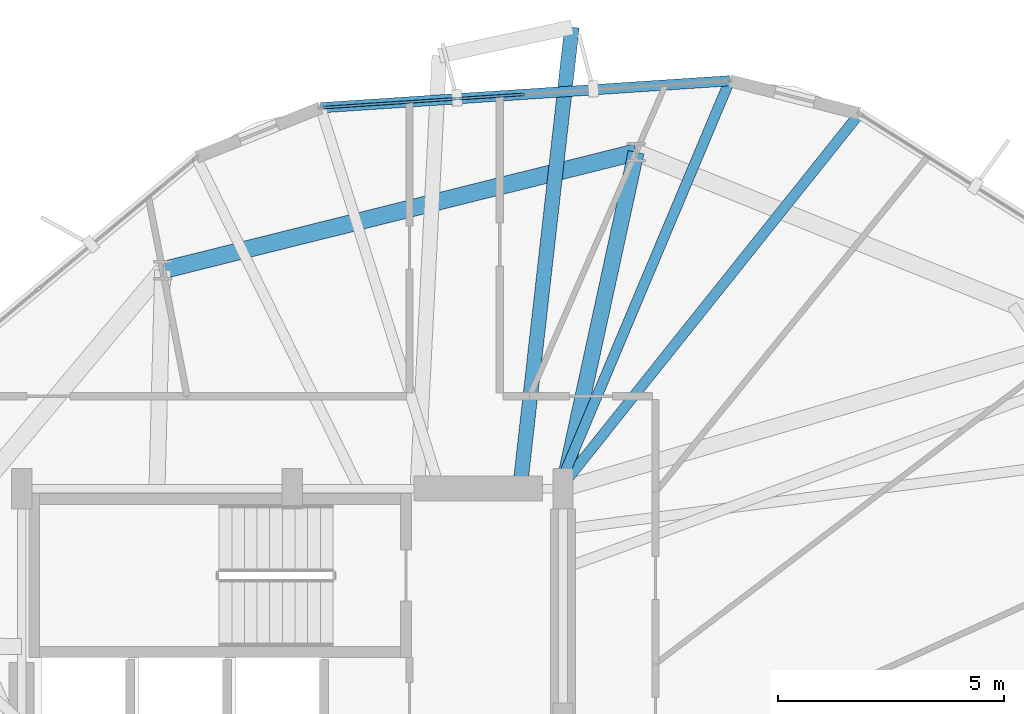
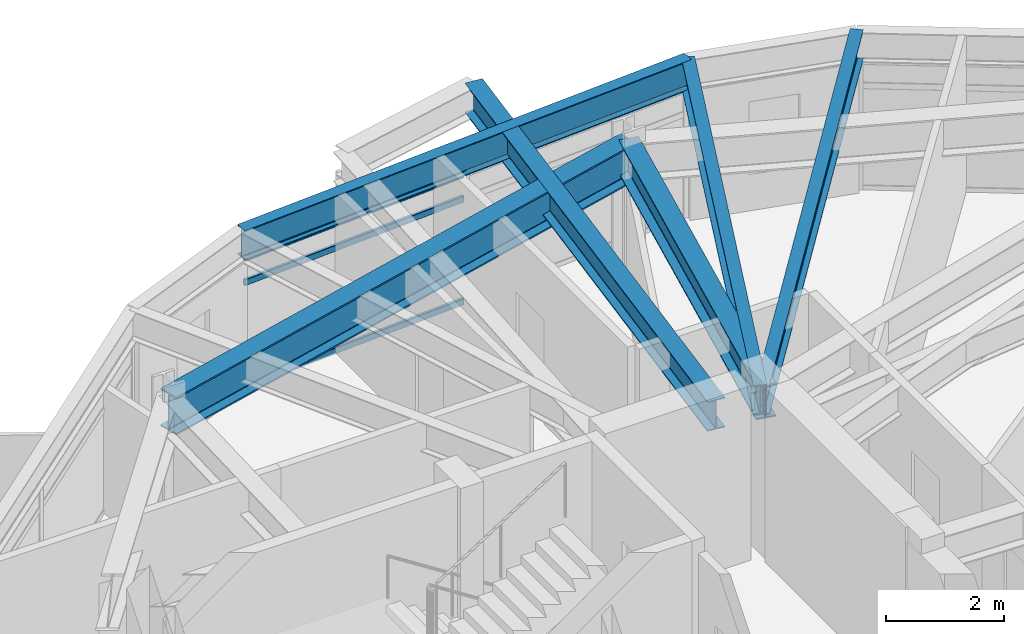
# One storey, part 13 of 24: 6 beams, 3 members, 1 element without a shape of its own.
"""IFC4 building model written with IfcOpenShell, lengths in metres."""

from ifc_helpers import new_model, si_unit, direction, frame, origin, origin_2d, place, context, subcontext, project, spatial, hollow_rectangle, i_section, extrude, material, layer, layer_set, material_profile, profile_set, type_object, element, aggregate, save


model = new_model("IFC4")

# Units and contexts
model_context = context("Model", 3, precision=1e-05, world=origin(), true_north=direction((0.0, 1.0)))
body_context = subcontext(model_context, "Body", "Model", "MODEL_VIEW")
ifc_project = project(units=[si_unit("LENGTHUNIT", "METRE"), si_unit("AREAUNIT", "SQUARE_METRE"), si_unit("VOLUMEUNIT", "CUBIC_METRE"), si_unit("PLANEANGLEUNIT", "RADIAN"), si_unit("MASSUNIT", "GRAM", prefix="KILO")], contexts=[model_context])

# Site, building, storey
site_placement = place(None, origin())
site = spatial("IfcSite", under=ifc_project, at=site_placement, CompositionType="ELEMENT")
building_placement = place(site_placement, origin())
building = spatial("IfcBuilding", under=site, at=building_placement, Name="Soratama Intermodal Tower", CompositionType="ELEMENT")
storey_placement = place(building_placement, frame((0.0, 0.0, 178.60009765625)))
storey = spatial("IfcBuildingStorey", under=building, at=storey_placement, Name="L44", CompositionType="ELEMENT", Elevation=178.60009765625)

# Beams
ifc_material_1 = material(Name="Structural steel ASTM A992 Grade 50", Category="steel")
ifc_material_profile_1 = material_profile(ifc_material_1, i_section(OverallWidth=0.324951171875, OverallDepth=0.615966796875, WebThickness=0.013916015625, FlangeThickness=0.021484375, FilletRadius=0.013916015625, at=origin_2d()), Name="W24X117")
ifc_profile_set_1 = profile_set([ifc_material_profile_1], Name="Structural steel ASTM A992 Grade 50")
beam_type_1 = type_object("IfcBeamType", Name="BM-CANT-W24X117", PredefinedType="BEAM", material=ifc_profile_set_1)
beam_1_placement = place(storey_placement, frame((43.64990234375, 35.0400390625, 2.991943359375), z_axis=(0.111970514242, 0.99371152954, 0.0), x_axis=(-0.99371152954, 0.111970514242, 0.0)))
element("IfcBeam", 1, at=beam_1_placement, inside=storey, type_object=beam_type_1, Name="BM-L44-CANT-2-1", PredefinedType="BEAM", context=body_context, shape_type="SweptSolid", body=[
    extrude(i_section(OverallWidth=0.324951171875, OverallDepth=0.615966796875, WebThickness=0.013916015625, FlangeThickness=0.021484375, FilletRadius=0.013916015625, at=origin_2d()), origin(), (0.0, 0.0, 1.0), 10.25439453125),
])
ifc_material_2 = material(Name="Structural steel ASTM A992 Grade 50", Category="steel")
ifc_material_profile_2 = material_profile(ifc_material_2, i_section(OverallWidth=0.35498046875, OverallDepth=0.695068359375, WebThickness=0.015380859375, FlangeThickness=0.02490234375, FilletRadius=0.01611328125, at=origin_2d()), Name="W27X146")
ifc_profile_set_2 = profile_set([ifc_material_profile_2], Name="Structural steel ASTM A992 Grade 50")
beam_type_2 = type_object("IfcBeamType", Name="BM-RING-W27X146", PredefinedType="BEAM", material=ifc_profile_set_2)
beam_2_placement = place(storey_placement, frame((44.60009765625, 35.0, 2.952392578125), z_axis=(0.212399095304, 0.977183004515, 0.0), x_axis=(-0.977183004515, 0.212399095304, 0.0)))
element("IfcBeam", 2, at=beam_2_placement, inside=storey, type_object=beam_type_2, Name="BM-L44-RAD-03", PredefinedType="BEAM", context=body_context, shape_type="SweptSolid", body=[
    extrude(i_section(OverallWidth=0.35498046875, OverallDepth=0.695068359375, WebThickness=0.015380859375, FlangeThickness=0.02490234375, FilletRadius=0.01611328125, at=origin_2d()), origin(), (0.0, 0.0, 1.0), 7.631103515625),
])
ifc_material_3 = material(Name="Structural steel ASTM A992 Grade 50", Category="steel")
ifc_material_profile_3 = material_profile(ifc_material_3, i_section(OverallWidth=0.382080078125, OverallDepth=0.779052734375, WebThickness=0.01806640625, FlangeThickness=0.030029296875, FilletRadius=0.01806640625, at=origin_2d()), Name="W30X191")
ifc_profile_set_3 = profile_set([ifc_material_profile_3], Name="Structural steel ASTM A992 Grade 50")
beam_type_3 = type_object("IfcBeamType", Name="BM-RING-W30X191", PredefinedType="BEAM", material=ifc_profile_set_3)
beam_3_placement = place(storey_placement, frame((46.220947265625, 42.45703125, 2.910400390625), z_axis=(-0.970310893227, -0.241861056155, 0.0), x_axis=(0.241861056155, -0.970310893227, 0.0)))
element("IfcBeam", 3, at=beam_3_placement, inside=storey, type_object=beam_type_3, Name="BM-L44-RING-03", PredefinedType="BEAM", context=body_context, shape_type="SweptSolid", body=[
    extrude(i_section(OverallWidth=0.382080078125, OverallDepth=0.779052734375, WebThickness=0.01806640625, FlangeThickness=0.030029296875, FilletRadius=0.01806640625, at=origin_2d()), origin(), (0.0, 0.0, 1.0), 10.81591796875),
])
ifc_material_4 = material(Name="Structural steel ASTM A992 Grade 50", Category="steel")
ifc_material_profile_4 = material_profile(ifc_material_4, i_section(OverallWidth=0.22900390625, OverallDepth=0.612060546875, WebThickness=0.011962890625, FlangeThickness=0.01953125, FilletRadius=0.012939453125, at=origin_2d()), Name="W24X84")
ifc_profile_set_4 = profile_set([ifc_material_profile_4], Name="Structural steel ASTM A992 Grade 50")
beam_type_4 = type_object("IfcBeamType", Name="BM-SPN-W24X84", PredefinedType="SPANDREL", material=ifc_profile_set_4)
beam_4_placement = place(storey_placement, frame((48.294921875, 44.0419921875, 2.993896484375), z_axis=(-0.997825747995, -0.065907333724, 0.0), x_axis=(0.065907333724, -0.997825747995, 0.0)))
element("IfcBeam", 4, at=beam_4_placement, inside=storey, type_object=beam_type_4, Name="BS-L44-F02", PredefinedType="SPANDREL", context=body_context, shape_type="SweptSolid", body=[
    extrude(i_section(OverallWidth=0.22900390625, OverallDepth=0.612060546875, WebThickness=0.011962890625, FlangeThickness=0.01953125, FilletRadius=0.012939453125, at=origin_2d()), origin(), (0.0, 0.0, 1.0), 9.086669921875),
])
ifc_material_5 = material(Name="Structural steel ASTM A992 Grade 50", Category="steel")
ifc_material_profile_5 = material_profile(ifc_material_5, i_section(OverallWidth=0.22900390625, OverallDepth=0.612060546875, WebThickness=0.011962890625, FlangeThickness=0.01953125, FilletRadius=0.012939453125, at=origin_2d()), Name="W24X84")
ifc_profile_set_5 = profile_set([ifc_material_profile_5], Name="Structural steel ASTM A992 Grade 50")
beam_type_5 = type_object("IfcBeamType", Name="BM-TIE-W24X84", PredefinedType="BEAM", material=ifc_profile_set_5)
beam_5_placement = place(storey_placement, frame((44.553955078125, 35.031005859375, 2.993896484375), z_axis=(0.624197797476, 0.78126634999, 0.0), x_axis=(-0.78126634999, 0.624197797476, 0.0)))
element("IfcBeam", 5, at=beam_5_placement, inside=storey, type_object=beam_type_5, Name="BM-L44-TIE1-01", PredefinedType="BEAM", context=body_context, shape_type="SweptSolid", body=[
    extrude(i_section(OverallWidth=0.22900390625, OverallDepth=0.612060546875, WebThickness=0.011962890625, FlangeThickness=0.01953125, FilletRadius=0.012939453125, at=origin_2d()), origin(), (0.0, 0.0, 1.0), 10.600830078125),
])
beam_6_placement = place(storey_placement, frame((44.507080078125, 35.037109375, 2.993896484375), z_axis=(0.387736326546, 0.921770329896, 0.0), x_axis=(-0.921770329896, 0.387736326546, 0.0)))
element("IfcBeam", 6, at=beam_6_placement, inside=storey, type_object=beam_type_5, Name="BM-L44-TIE0-02", PredefinedType="BEAM", context=body_context, shape_type="SweptSolid", body=[
    extrude(i_section(OverallWidth=0.22900390625, OverallDepth=0.612060546875, WebThickness=0.011962890625, FlangeThickness=0.01953125, FilletRadius=0.012939453125, at=origin_2d()), origin(), (0.0, 0.0, 1.0), 9.76904296875),
])

# Curtain wall, members
ifc_material_6 = material(Name="Double-glazed aluminium curtain wall", Category="aluminium")
ifc_layer = layer(ifc_material_6, 0.159912109375)
ifc_layer_set = layer_set([ifc_layer], Name="Double-glazed aluminium curtain wall")
curtain_wall_type = type_object("IfcCurtainWallType", Name="CW-SYS-4", PredefinedType="NOTDEFINED", material=ifc_layer_set)
curtain_wall_placement = place(storey_placement, origin())
curtain_wall = element("IfcCurtainWall", 7, at=curtain_wall_placement, inside=storey, type_object=curtain_wall_type, Name="L44 Faceted Curtain Wall F02", PredefinedType="NOTDEFINED")
ifc_material_7 = material(Name="Anodised aluminium AA 6063-T6", Category="aluminium")
ifc_material_profile_6 = material_profile(ifc_material_7, hollow_rectangle(XDim=0.06005859375, YDim=0.1298828125, WallThickness=0.0048828125, InnerFilletRadius=0.0048828125, OuterFilletRadius=0.010009765625, at=origin_2d()), Name="CWT130X60X5")
ifc_profile_set_6 = profile_set([ifc_material_profile_6], Name="Anodised aluminium AA 6063-T6")
member_type = type_object("IfcMemberType", Name="TT-CWT-2", PredefinedType="USERDEFINED", material=ifc_profile_set_6)
member_1_placement = place(storey_placement, frame((43.731689453125, 43.740478515625, 0.02978515625), z_axis=(-0.997826444682, -0.06589678515, 0.0), x_axis=(0.06589678515, -0.997826444682, 0.0)))
member_1 = element("IfcMember", 8, at=member_1_placement, type_object=member_type, Name="CW-4 transom 2.1", ObjectType="TRANSOM", PredefinedType="USERDEFINED", context=body_context, shape_type="SweptSolid", body=[
    extrude(hollow_rectangle(XDim=0.06005859375, YDim=0.1298828125, WallThickness=0.0048828125, InnerFilletRadius=0.0048828125, OuterFilletRadius=0.010009765625, at=origin_2d()), origin(), (0.0, 0.0, 1.0), 4.453369140625),
])
member_2_placement = place(storey_placement, frame((43.731689453125, 43.740478515625, 2.14990234375), z_axis=(-0.997826444682, -0.06589678515, 0.0), x_axis=(0.06589678515, -0.997826444682, 0.0)))
member_2 = element("IfcMember", 9, at=member_2_placement, type_object=member_type, Name="CW-4 transom 2.2", ObjectType="TRANSOM", PredefinedType="USERDEFINED", context=body_context, shape_type="SweptSolid", body=[
    extrude(hollow_rectangle(XDim=0.06005859375, YDim=0.1298828125, WallThickness=0.0048828125, InnerFilletRadius=0.0048828125, OuterFilletRadius=0.010009765625, at=origin_2d()), origin(), (0.0, 0.0, 1.0), 4.453369140625),
])
member_3_placement = place(storey_placement, frame((43.731689453125, 43.740478515625, 2.64892578125), z_axis=(-0.997826444682, -0.06589678515, 0.0), x_axis=(0.06589678515, -0.997826444682, 0.0)))
member_3 = element("IfcMember", 10, at=member_3_placement, type_object=member_type, Name="CW-4 transom 2.3", ObjectType="TRANSOM", PredefinedType="USERDEFINED", context=body_context, shape_type="SweptSolid", body=[
    extrude(hollow_rectangle(XDim=0.06005859375, YDim=0.1298828125, WallThickness=0.0048828125, InnerFilletRadius=0.0048828125, OuterFilletRadius=0.010009765625, at=origin_2d()), origin(), (0.0, 0.0, 1.0), 4.453369140625),
])
aggregate(curtain_wall, [member_1, member_2, member_3])

save(model, "model.ifc")
